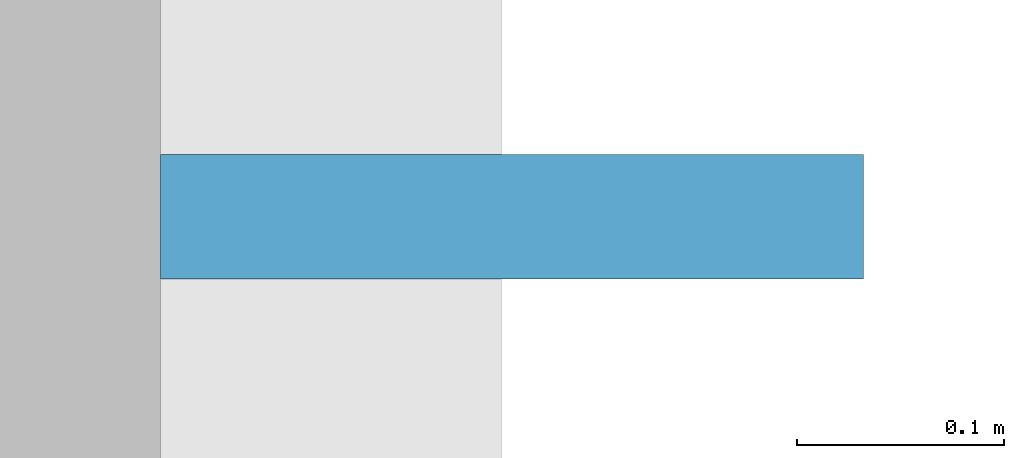
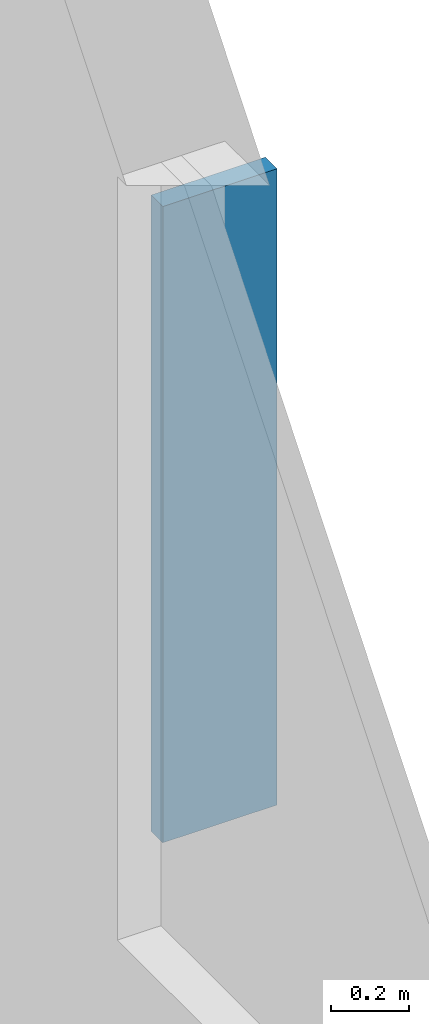
# One storey, part 4 of 14: 1 plate.
"""IFC4 building model written with IfcOpenShell, lengths in metres."""

from ifc_helpers import new_model, si_unit, direction, frame, origin, origin_2d, place, context, subcontext, project, spatial, rectangle, extrude, material, type_object, element, save


model = new_model("IFC4")

# Units and contexts
model_context = context("Model", 3, precision=1e-05, world=origin(), true_north=direction((0.0, 1.0)))
body_context = subcontext(model_context, "Body", "Model", "MODEL_VIEW")
ifc_project = project(units=[si_unit("LENGTHUNIT", "METRE"), si_unit("AREAUNIT", "SQUARE_METRE"), si_unit("VOLUMEUNIT", "CUBIC_METRE"), si_unit("PLANEANGLEUNIT", "RADIAN"), si_unit("MASSUNIT", "GRAM", prefix="KILO")], contexts=[model_context])

# Site, building, storey
site_placement = place(None, origin())
site = spatial("IfcSite", under=ifc_project, at=site_placement, CompositionType="ELEMENT")
building_placement = place(site_placement, origin())
building = spatial("IfcBuilding", under=site, at=building_placement, Name="Nhamokura Convention Tower", CompositionType="ELEMENT")
storey_placement = place(building_placement, frame((0.0, 0.0, 23.800048828125)))
storey = spatial("IfcBuildingStorey", under=building, at=storey_placement, Name="L04", CompositionType="ELEMENT", Elevation=23.800048828125)

# Plate
ifc_material = material(Name="Anodised bronze aluminium AA6063-T6", Category="aluminium")
plate_type = type_object("IfcPlateType", Name="BronzeSolarFin_1", PredefinedType="USERDEFINED", material=ifc_material)
plate_placement = place(storey_placement, frame((64.330078125, 29.199951171875, 0.849853515625), z_axis=(0.0, 0.0, 1.0), x_axis=(1.0, 0.0, 0.0)))
element("IfcPlate", 1, at=plate_placement, inside=storey, type_object=plate_type, Name="L04 Bronze Solar Shading Fin EAST 2", ObjectType="SOLAR_FIN", PredefinedType="USERDEFINED", context=body_context, shape_type="SweptSolid", body=[
    extrude(rectangle(XDim=0.340087890625, YDim=0.06005859375, at=origin_2d()), origin(), (0.0, 0.0, 1.0), 2.0),
])

save(model, "model.ifc")
